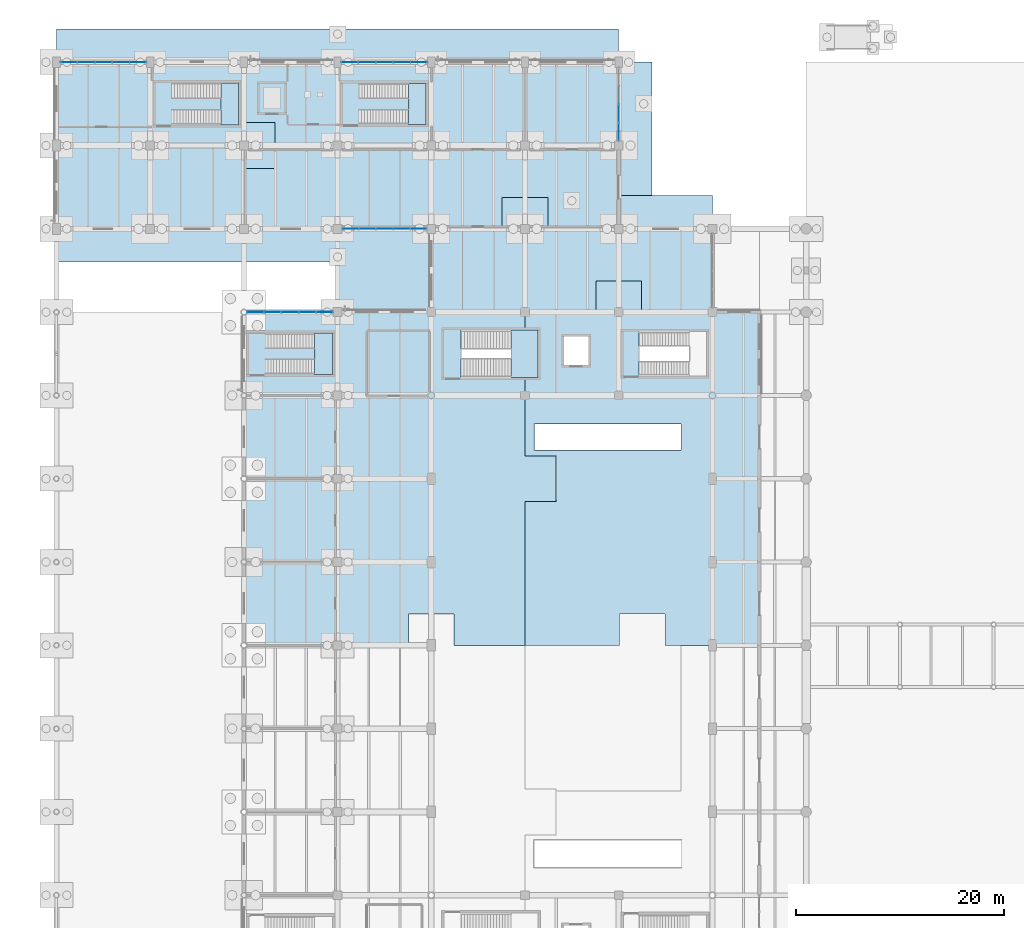
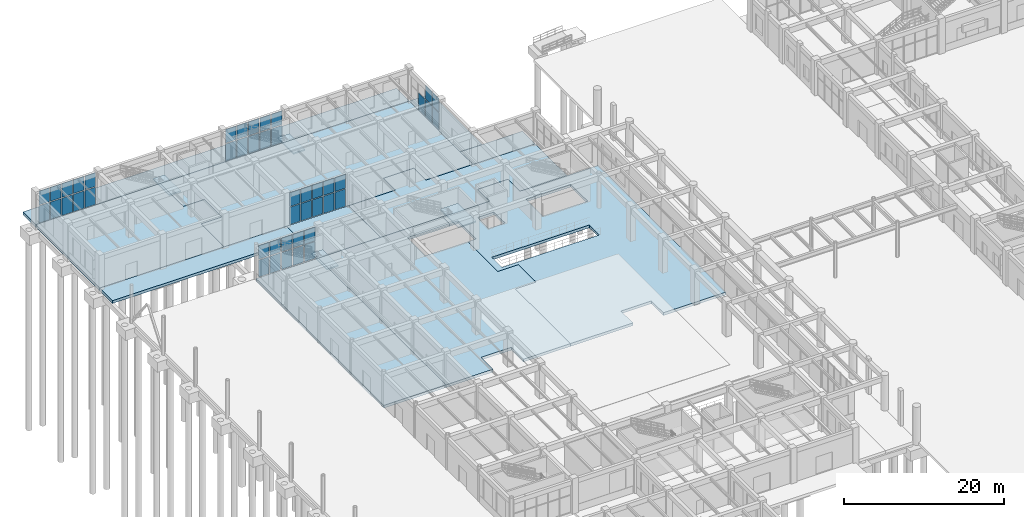
# One storey, part 84 of 121: 45 plates, 15 slabs, 9 elements without a shape of their own.
"""IFC4 building model written with IfcOpenShell, lengths in metres."""

from ifc_helpers import new_model, si_unit, derived_unit, direction, frame, origin, origin_2d, place, context, subcontext, project, spatial, polyline, rectangle, outline, extrude, material, layer, layer_set, type_object, element, aggregate, save


model = new_model("IFC4")

# Units and contexts
model_context = context("Model", 3, precision=1e-05, world=origin(), true_north=direction((0.0, 1.0)))
body_context = subcontext(model_context, "Body", "Model", "MODEL_VIEW")
ifc_project = project(units=[si_unit("LENGTHUNIT", "METRE"), si_unit("AREAUNIT", "SQUARE_METRE"), si_unit("VOLUMEUNIT", "CUBIC_METRE"), si_unit("PLANEANGLEUNIT", "RADIAN"), si_unit("MASSUNIT", "GRAM", prefix="KILO"), derived_unit("THERMALTRANSMITTANCEUNIT", [(si_unit("MASSUNIT", "GRAM", prefix="KILO"), 1), (si_unit("TIMEUNIT", "SECOND"), -3), (si_unit("THERMODYNAMICTEMPERATUREUNIT", "KELVIN"), -1)])], contexts=[model_context])

# Site, building, storey
site_placement = place(None, origin())
site = spatial("IfcSite", under=ifc_project, at=site_placement, CompositionType="ELEMENT")
building_placement = place(site_placement, origin())
building = spatial("IfcBuilding", under=site, at=building_placement, Name="Zhenchuan Archway Interchange", CompositionType="ELEMENT")
storey_placement = place(building_placement, origin())
storey = spatial("IfcBuildingStorey", under=building, at=storey_placement, Name="L00", CompositionType="ELEMENT", Elevation=0.0)

# Curtain wall, plates
ifc_material_1 = material(Name="Anodised Aluminium", Category="aluminium")
curtain_wall_type_1 = type_object("IfcCurtainWallType", Name="CW_UNIT_3", PredefinedType="NOTDEFINED", material=ifc_material_1)
curtain_wall_1_placement = place(storey_placement, origin())
curtain_wall_1 = element("IfcCurtainWall", 1, at=curtain_wall_1_placement, inside=storey, type_object=curtain_wall_type_1, Name="Unitised curtain wall CW:L00:002", PredefinedType="NOTDEFINED")
ifc_material_2 = material(Name="Double Low-E Insulated Glazing", Category="glass")
ifc_layer_1 = layer(ifc_material_2, 0.031982421875)
ifc_layer_set_1 = layer_set([ifc_layer_1], Name="Double Low-E Insulated Glazing")
plate_type_1 = type_object("IfcPlateType", Name="CW_GLZ_5", PredefinedType="CURTAIN_PANEL", material=ifc_layer_set_1)
plate_1_placement = place(storey_placement, frame((19.092529296875, 88.0, 0.080078125), z_axis=(0.0, 0.0, 1.0), x_axis=(1.0, 0.0, 0.0)))
plate_1 = element("IfcPlate", 2, at=plate_1_placement, type_object=plate_type_1, Name="CW:L00:002 lower glazing panel 0", PredefinedType="CURTAIN_PANEL", context=body_context, shape_type="SweptSolid", body=[
    extrude(rectangle(XDim=1.51220703125, YDim=0.028076171875, at=origin_2d()), origin(), (0.0, 0.0, 1.0), 2.610107421875),
])
plate_2_placement = place(storey_placement, frame((20.754638671875, 88.0, 0.080078125), z_axis=(0.0, 0.0, 1.0), x_axis=(1.0, 0.0, 0.0)))
plate_2 = element("IfcPlate", 3, at=plate_2_placement, type_object=plate_type_1, Name="CW:L00:002 lower glazing panel 1", PredefinedType="CURTAIN_PANEL", context=body_context, shape_type="SweptSolid", body=[
    extrude(rectangle(XDim=1.531982421875, YDim=0.028076171875, at=origin_2d()), origin(), (0.0, 0.0, 1.0), 2.610107421875),
])
plate_3_placement = place(storey_placement, frame((22.4267578125, 88.0, 0.080078125), z_axis=(0.0, 0.0, 1.0), x_axis=(1.0, 0.0, 0.0)))
plate_3 = element("IfcPlate", 4, at=plate_3_placement, type_object=plate_type_1, Name="CW:L00:002 lower glazing panel 2", PredefinedType="CURTAIN_PANEL", context=body_context, shape_type="SweptSolid", body=[
    extrude(rectangle(XDim=1.531982421875, YDim=0.028076171875, at=origin_2d()), origin(), (0.0, 0.0, 1.0), 2.610107421875),
])
plate_4_placement = place(storey_placement, frame((24.098876953125, 88.0, 0.080078125), z_axis=(0.0, 0.0, 1.0), x_axis=(1.0, 0.0, 0.0)))
plate_4 = element("IfcPlate", 5, at=plate_4_placement, type_object=plate_type_1, Name="CW:L00:002 lower glazing panel 3", PredefinedType="CURTAIN_PANEL", context=body_context, shape_type="SweptSolid", body=[
    extrude(rectangle(XDim=1.531982421875, YDim=0.028076171875, at=origin_2d()), origin(), (0.0, 0.0, 1.0), 2.610107421875),
])
plate_5_placement = place(storey_placement, frame((25.760986328125, 88.0, 0.080078125), z_axis=(0.0, 0.0, 1.0), x_axis=(1.0, 0.0, 0.0)))
plate_5 = element("IfcPlate", 6, at=plate_5_placement, type_object=plate_type_1, Name="CW:L00:002 lower glazing panel 4", PredefinedType="CURTAIN_PANEL", context=body_context, shape_type="SweptSolid", body=[
    extrude(rectangle(XDim=1.51220703125, YDim=0.028076171875, at=origin_2d()), origin(), (0.0, 0.0, 1.0), 2.610107421875),
])

curtain_wall_type_2 = type_object("IfcCurtainWallType", Name="CW_UNIT_4", PredefinedType="NOTDEFINED", material=ifc_material_1)
curtain_wall_2_placement = place(storey_placement, origin())
curtain_wall_2 = element("IfcCurtainWall", 7, at=curtain_wall_2_placement, inside=storey, type_object=curtain_wall_type_2, Name="Unitised curtain wall CW:L00:003", PredefinedType="NOTDEFINED")
plate_6_placement = place(storey_placement, frame((34.775634765625, 96.0, 0.080078125), z_axis=(0.0, 0.0, 1.0), x_axis=(-1.0, 0.0, 0.0)))
plate_6 = element("IfcPlate", 8, at=plate_6_placement, type_object=plate_type_1, Name="CW:L00:003 lower glazing panel 0", PredefinedType="CURTAIN_PANEL", context=body_context, shape_type="SweptSolid", body=[
    extrude(rectangle(XDim=1.48291015625, YDim=0.028076171875, at=origin_2d()), origin(), (0.0, 0.0, 1.0), 2.64306640625),
])
plate_7_placement = place(storey_placement, frame((33.142822265625, 96.0, 0.080078125), z_axis=(0.0, 0.0, 1.0), x_axis=(-1.0, 0.0, 0.0)))
plate_7 = element("IfcPlate", 9, at=plate_7_placement, type_object=plate_type_1, Name="CW:L00:003 lower glazing panel 1", PredefinedType="CURTAIN_PANEL", context=body_context, shape_type="SweptSolid", body=[
    extrude(rectangle(XDim=1.502685546875, YDim=0.028076171875, at=origin_2d()), origin(), (0.0, 0.0, 1.0), 2.64306640625),
])
plate_8_placement = place(storey_placement, frame((31.5, 96.0, 0.080078125), z_axis=(0.0, 0.0, 1.0), x_axis=(-1.0, 0.0, 0.0)))
plate_8 = element("IfcPlate", 10, at=plate_8_placement, type_object=plate_type_1, Name="CW:L00:003 lower glazing panel 2", PredefinedType="CURTAIN_PANEL", context=body_context, shape_type="SweptSolid", body=[
    extrude(rectangle(XDim=1.502685546875, YDim=0.028076171875, at=origin_2d()), origin(), (0.0, 0.0, 1.0), 2.64306640625),
])
plate_9_placement = place(storey_placement, frame((29.857177734375, 96.0, 0.080078125), z_axis=(0.0, 0.0, 1.0), x_axis=(-1.0, 0.0, 0.0)))
plate_9 = element("IfcPlate", 11, at=plate_9_placement, type_object=plate_type_1, Name="CW:L00:003 lower glazing panel 3", PredefinedType="CURTAIN_PANEL", context=body_context, shape_type="SweptSolid", body=[
    extrude(rectangle(XDim=1.502685546875, YDim=0.028076171875, at=origin_2d()), origin(), (0.0, 0.0, 1.0), 2.64306640625),
])
plate_10_placement = place(storey_placement, frame((28.224365234375, 96.0, 0.080078125), z_axis=(0.0, 0.0, 1.0), x_axis=(-1.0, 0.0, 0.0)))
plate_10 = element("IfcPlate", 12, at=plate_10_placement, type_object=plate_type_1, Name="CW:L00:003 lower glazing panel 4", PredefinedType="CURTAIN_PANEL", context=body_context, shape_type="SweptSolid", body=[
    extrude(rectangle(XDim=1.48291015625, YDim=0.028076171875, at=origin_2d()), origin(), (0.0, 0.0, 1.0), 2.64306640625),
])

curtain_wall_type_3 = type_object("IfcCurtainWallType", Name="CW_UNIT_1", PredefinedType="NOTDEFINED", material=ifc_material_1)
curtain_wall_3_placement = place(storey_placement, origin())
curtain_wall_3 = element("IfcCurtainWall", 13, at=curtain_wall_3_placement, inside=storey, type_object=curtain_wall_type_3, Name="Unitised curtain wall CW:L00:004", PredefinedType="NOTDEFINED")
plate_11_placement = place(storey_placement, frame((1.18701171875, 112.0, 0.080078125), z_axis=(0.0, 0.0, 1.0), x_axis=(1.0, 0.0, 0.0)))
plate_11 = element("IfcPlate", 14, at=plate_11_placement, type_object=plate_type_1, Name="CW:L00:004 lower glazing panel 0", PredefinedType="CURTAIN_PANEL", context=body_context, shape_type="SweptSolid", body=[
    extrude(rectangle(XDim=1.5078125, YDim=0.028076171875, at=origin_2d()), origin(), (0.0, 0.0, 1.0), 2.64306640625),
])
plate_12_placement = place(storey_placement, frame((2.8447265625, 112.0, 0.080078125), z_axis=(0.0, 0.0, 1.0), x_axis=(1.0, 0.0, 0.0)))
plate_12 = element("IfcPlate", 15, at=plate_12_placement, type_object=plate_type_1, Name="CW:L00:004 lower glazing panel 1", PredefinedType="CURTAIN_PANEL", context=body_context, shape_type="SweptSolid", body=[
    extrude(rectangle(XDim=1.52783203125, YDim=0.028076171875, at=origin_2d()), origin(), (0.0, 0.0, 1.0), 2.64306640625),
])
plate_13_placement = place(storey_placement, frame((4.512451171875, 112.0, 0.080078125), z_axis=(0.0, 0.0, 1.0), x_axis=(1.0, 0.0, 0.0)))
plate_13 = element("IfcPlate", 16, at=plate_13_placement, type_object=plate_type_1, Name="CW:L00:004 lower glazing panel 2", PredefinedType="CURTAIN_PANEL", context=body_context, shape_type="SweptSolid", body=[
    extrude(rectangle(XDim=1.52783203125, YDim=0.028076171875, at=origin_2d()), origin(), (0.0, 0.0, 1.0), 2.64306640625),
])
plate_14_placement = place(storey_placement, frame((6.180419921875, 112.0, 0.080078125), z_axis=(0.0, 0.0, 1.0), x_axis=(1.0, 0.0, 0.0)))
plate_14 = element("IfcPlate", 17, at=plate_14_placement, type_object=plate_type_1, Name="CW:L00:004 lower glazing panel 3", PredefinedType="CURTAIN_PANEL", context=body_context, shape_type="SweptSolid", body=[
    extrude(rectangle(XDim=1.52783203125, YDim=0.028076171875, at=origin_2d()), origin(), (0.0, 0.0, 1.0), 2.64306640625),
])
plate_15_placement = place(storey_placement, frame((7.838134765625, 112.0, 0.080078125), z_axis=(0.0, 0.0, 1.0), x_axis=(1.0, 0.0, 0.0)))
plate_15 = element("IfcPlate", 18, at=plate_15_placement, type_object=plate_type_1, Name="CW:L00:004 lower glazing panel 4", PredefinedType="CURTAIN_PANEL", context=body_context, shape_type="SweptSolid", body=[
    extrude(rectangle(XDim=1.5078125, YDim=0.028076171875, at=origin_2d()), origin(), (0.0, 0.0, 1.0), 2.64306640625),
])

curtain_wall_type_4 = type_object("IfcCurtainWallType", Name="CW_UNIT_2", PredefinedType="NOTDEFINED", material=ifc_material_1)
curtain_wall_4_placement = place(storey_placement, origin())
curtain_wall_4 = element("IfcCurtainWall", 19, at=curtain_wall_4_placement, inside=storey, type_object=curtain_wall_type_4, Name="Unitised curtain wall CW:L00:005", PredefinedType="NOTDEFINED")
plate_16_placement = place(storey_placement, frame((28.164306640625, 112.0, 0.080078125), z_axis=(0.0, 0.0, 1.0), x_axis=(1.0, 0.0, 0.0)))
plate_16 = element("IfcPlate", 20, at=plate_16_placement, type_object=plate_type_1, Name="CW:L00:005 lower glazing panel 0", PredefinedType="CURTAIN_PANEL", context=body_context, shape_type="SweptSolid", body=[
    extrude(rectangle(XDim=1.5126953125, YDim=0.028076171875, at=origin_2d()), origin(), (0.0, 0.0, 1.0), 2.64306640625),
])
plate_17_placement = place(storey_placement, frame((29.8271484375, 112.0, 0.080078125), z_axis=(0.0, 0.0, 1.0), x_axis=(1.0, 0.0, 0.0)))
plate_17 = element("IfcPlate", 21, at=plate_17_placement, type_object=plate_type_1, Name="CW:L00:005 lower glazing panel 1", PredefinedType="CURTAIN_PANEL", context=body_context, shape_type="SweptSolid", body=[
    extrude(rectangle(XDim=1.53271484375, YDim=0.028076171875, at=origin_2d()), origin(), (0.0, 0.0, 1.0), 2.64306640625),
])
plate_18_placement = place(storey_placement, frame((31.5, 112.0, 0.080078125), z_axis=(0.0, 0.0, 1.0), x_axis=(1.0, 0.0, 0.0)))
plate_18 = element("IfcPlate", 22, at=plate_18_placement, type_object=plate_type_1, Name="CW:L00:005 lower glazing panel 2", PredefinedType="CURTAIN_PANEL", context=body_context, shape_type="SweptSolid", body=[
    extrude(rectangle(XDim=1.53271484375, YDim=0.028076171875, at=origin_2d()), origin(), (0.0, 0.0, 1.0), 2.64306640625),
])
plate_19_placement = place(storey_placement, frame((33.1728515625, 112.0, 0.080078125), z_axis=(0.0, 0.0, 1.0), x_axis=(1.0, 0.0, 0.0)))
plate_19 = element("IfcPlate", 23, at=plate_19_placement, type_object=plate_type_1, Name="CW:L00:005 lower glazing panel 3", PredefinedType="CURTAIN_PANEL", context=body_context, shape_type="SweptSolid", body=[
    extrude(rectangle(XDim=1.53271484375, YDim=0.028076171875, at=origin_2d()), origin(), (0.0, 0.0, 1.0), 2.64306640625),
])
plate_20_placement = place(storey_placement, frame((34.835693359375, 112.0, 0.080078125), z_axis=(0.0, 0.0, 1.0), x_axis=(1.0, 0.0, 0.0)))
plate_20 = element("IfcPlate", 24, at=plate_20_placement, type_object=plate_type_1, Name="CW:L00:005 lower glazing panel 4", PredefinedType="CURTAIN_PANEL", context=body_context, shape_type="SweptSolid", body=[
    extrude(rectangle(XDim=1.5126953125, YDim=0.028076171875, at=origin_2d()), origin(), (0.0, 0.0, 1.0), 2.64306640625),
])

curtain_wall_5_placement = place(storey_placement, origin())
curtain_wall_5 = element("IfcCurtainWall", 25, at=curtain_wall_5_placement, inside=storey, type_object=curtain_wall_type_1, Name="Unitised curtain wall CW:L00:006", PredefinedType="NOTDEFINED")
plate_21_placement = place(storey_placement, frame((54.0, 108.85498046875, 0.080078125), z_axis=(0.0, 0.0, 1.0), x_axis=(0.0, -1.0, 0.0)))
plate_21 = element("IfcPlate", 26, at=plate_21_placement, type_object=plate_type_1, Name="CW:L00:006 lower glazing panel 1", PredefinedType="CURTAIN_PANEL", context=body_context, shape_type="SweptSolid", body=[
    extrude(rectangle(XDim=1.644775390625, YDim=0.028076171875, at=origin_2d()), origin(), (0.0, 0.0, 1.0), 2.64306640625),
])
plate_22_placement = place(storey_placement, frame((54.0, 107.070068359375, 0.080078125), z_axis=(0.0, 0.0, 1.0), x_axis=(0.0, -1.0, 0.0)))
plate_22 = element("IfcPlate", 27, at=plate_22_placement, type_object=plate_type_1, Name="CW:L00:006 lower glazing panel 2", PredefinedType="CURTAIN_PANEL", context=body_context, shape_type="SweptSolid", body=[
    extrude(rectangle(XDim=1.644775390625, YDim=0.028076171875, at=origin_2d()), origin(), (0.0, 0.0, 1.0), 2.64306640625),
])
plate_23_placement = place(storey_placement, frame((54.0, 105.29541015625, 0.080078125), z_axis=(0.0, 0.0, 1.0), x_axis=(0.0, -1.0, 0.0)))
plate_23 = element("IfcPlate", 28, at=plate_23_placement, type_object=plate_type_1, Name="CW:L00:006 lower glazing panel 3", PredefinedType="CURTAIN_PANEL", context=body_context, shape_type="SweptSolid", body=[
    extrude(rectangle(XDim=1.624755859375, YDim=0.028076171875, at=origin_2d()), origin(), (0.0, 0.0, 1.0), 2.64306640625),
])

# Plate
ifc_layer_2 = layer(ifc_material_2, 0.02197265625)
ifc_layer_set_2 = layer_set([ifc_layer_2], Name="Double Low-E Insulated Glazing")
plate_type_2 = type_object("IfcPlateType", Name="CW_GLZ_6", PredefinedType="CURTAIN_PANEL", material=ifc_layer_set_2)
plate_24_placement = place(storey_placement, frame((19.092529296875, 88.0, 2.81005859375), z_axis=(0.0, 0.0, 1.0), x_axis=(1.0, 0.0, 0.0)))
plate_24 = element("IfcPlate", 29, at=plate_24_placement, type_object=plate_type_2, Name="CW:L00:002 upper glazing panel 0", PredefinedType="CURTAIN_PANEL", context=body_context, shape_type="SweptSolid", body=[
    extrude(rectangle(XDim=1.51220703125, YDim=0.02587890625, at=origin_2d()), origin(), (0.0, 0.0, 1.0), 2.110107421875),
])

plate_25_placement = place(storey_placement, frame((20.754638671875, 88.0, 2.81005859375), z_axis=(0.0, 0.0, 1.0), x_axis=(1.0, 0.0, 0.0)))
plate_25 = element("IfcPlate", 30, at=plate_25_placement, type_object=plate_type_2, Name="CW:L00:002 upper glazing panel 1", PredefinedType="CURTAIN_PANEL", context=body_context, shape_type="SweptSolid", body=[
    extrude(rectangle(XDim=1.531982421875, YDim=0.02587890625, at=origin_2d()), origin(), (0.0, 0.0, 1.0), 2.110107421875),
])

plate_26_placement = place(storey_placement, frame((22.4267578125, 88.0, 2.81005859375), z_axis=(0.0, 0.0, 1.0), x_axis=(1.0, 0.0, 0.0)))
plate_26 = element("IfcPlate", 31, at=plate_26_placement, type_object=plate_type_2, Name="CW:L00:002 upper glazing panel 2", PredefinedType="CURTAIN_PANEL", context=body_context, shape_type="SweptSolid", body=[
    extrude(rectangle(XDim=1.531982421875, YDim=0.02587890625, at=origin_2d()), origin(), (0.0, 0.0, 1.0), 2.110107421875),
])

plate_27_placement = place(storey_placement, frame((24.098876953125, 88.0, 2.81005859375), z_axis=(0.0, 0.0, 1.0), x_axis=(1.0, 0.0, 0.0)))
plate_27 = element("IfcPlate", 32, at=plate_27_placement, type_object=plate_type_2, Name="CW:L00:002 upper glazing panel 3", PredefinedType="CURTAIN_PANEL", context=body_context, shape_type="SweptSolid", body=[
    extrude(rectangle(XDim=1.531982421875, YDim=0.02587890625, at=origin_2d()), origin(), (0.0, 0.0, 1.0), 2.110107421875),
])

plate_28_placement = place(storey_placement, frame((25.760986328125, 88.0, 2.81005859375), z_axis=(0.0, 0.0, 1.0), x_axis=(1.0, 0.0, 0.0)))
plate_28 = element("IfcPlate", 33, at=plate_28_placement, type_object=plate_type_2, Name="CW:L00:002 upper glazing panel 4", PredefinedType="CURTAIN_PANEL", context=body_context, shape_type="SweptSolid", body=[
    extrude(rectangle(XDim=1.51220703125, YDim=0.02587890625, at=origin_2d()), origin(), (0.0, 0.0, 1.0), 2.110107421875),
])

aggregate(curtain_wall_1, [plate_1, plate_24, plate_2, plate_25, plate_3, plate_26, plate_4, plate_27, plate_5, plate_28])

plate_29_placement = place(storey_placement, frame((34.775634765625, 96.0, 2.84326171875), z_axis=(0.0, 0.0, 1.0), x_axis=(-1.0, 0.0, 0.0)))
plate_29 = element("IfcPlate", 34, at=plate_29_placement, type_object=plate_type_2, Name="CW:L00:003 upper glazing panel 0", PredefinedType="CURTAIN_PANEL", context=body_context, shape_type="SweptSolid", body=[
    extrude(rectangle(XDim=1.48291015625, YDim=0.02587890625, at=origin_2d()), origin(), (0.0, 0.0, 1.0), 2.136962890625),
])

plate_30_placement = place(storey_placement, frame((33.142822265625, 96.0, 2.84326171875), z_axis=(0.0, 0.0, 1.0), x_axis=(-1.0, 0.0, 0.0)))
plate_30 = element("IfcPlate", 35, at=plate_30_placement, type_object=plate_type_2, Name="CW:L00:003 upper glazing panel 1", PredefinedType="CURTAIN_PANEL", context=body_context, shape_type="SweptSolid", body=[
    extrude(rectangle(XDim=1.502685546875, YDim=0.02587890625, at=origin_2d()), origin(), (0.0, 0.0, 1.0), 2.136962890625),
])

plate_31_placement = place(storey_placement, frame((31.5, 96.0, 2.84326171875), z_axis=(0.0, 0.0, 1.0), x_axis=(-1.0, 0.0, 0.0)))
plate_31 = element("IfcPlate", 36, at=plate_31_placement, type_object=plate_type_2, Name="CW:L00:003 upper glazing panel 2", PredefinedType="CURTAIN_PANEL", context=body_context, shape_type="SweptSolid", body=[
    extrude(rectangle(XDim=1.502685546875, YDim=0.02587890625, at=origin_2d()), origin(), (0.0, 0.0, 1.0), 2.136962890625),
])

plate_32_placement = place(storey_placement, frame((29.857177734375, 96.0, 2.84326171875), z_axis=(0.0, 0.0, 1.0), x_axis=(-1.0, 0.0, 0.0)))
plate_32 = element("IfcPlate", 37, at=plate_32_placement, type_object=plate_type_2, Name="CW:L00:003 upper glazing panel 3", PredefinedType="CURTAIN_PANEL", context=body_context, shape_type="SweptSolid", body=[
    extrude(rectangle(XDim=1.502685546875, YDim=0.02587890625, at=origin_2d()), origin(), (0.0, 0.0, 1.0), 2.136962890625),
])

plate_33_placement = place(storey_placement, frame((28.224365234375, 96.0, 2.84326171875), z_axis=(0.0, 0.0, 1.0), x_axis=(-1.0, 0.0, 0.0)))
plate_33 = element("IfcPlate", 38, at=plate_33_placement, type_object=plate_type_2, Name="CW:L00:003 upper glazing panel 4", PredefinedType="CURTAIN_PANEL", context=body_context, shape_type="SweptSolid", body=[
    extrude(rectangle(XDim=1.48291015625, YDim=0.02587890625, at=origin_2d()), origin(), (0.0, 0.0, 1.0), 2.136962890625),
])

aggregate(curtain_wall_2, [plate_6, plate_29, plate_7, plate_30, plate_8, plate_31, plate_9, plate_32, plate_10, plate_33])

plate_34_placement = place(storey_placement, frame((1.18701171875, 112.0, 2.84326171875), z_axis=(0.0, 0.0, 1.0), x_axis=(1.0, 0.0, 0.0)))
plate_34 = element("IfcPlate", 39, at=plate_34_placement, type_object=plate_type_2, Name="CW:L00:004 upper glazing panel 0", PredefinedType="CURTAIN_PANEL", context=body_context, shape_type="SweptSolid", body=[
    extrude(rectangle(XDim=1.5078125, YDim=0.02587890625, at=origin_2d()), origin(), (0.0, 0.0, 1.0), 2.136962890625),
])

plate_35_placement = place(storey_placement, frame((2.8447265625, 112.0, 2.84326171875), z_axis=(0.0, 0.0, 1.0), x_axis=(1.0, 0.0, 0.0)))
plate_35 = element("IfcPlate", 40, at=plate_35_placement, type_object=plate_type_2, Name="CW:L00:004 upper glazing panel 1", PredefinedType="CURTAIN_PANEL", context=body_context, shape_type="SweptSolid", body=[
    extrude(rectangle(XDim=1.52783203125, YDim=0.02587890625, at=origin_2d()), origin(), (0.0, 0.0, 1.0), 2.136962890625),
])

plate_36_placement = place(storey_placement, frame((4.512451171875, 112.0, 2.84326171875), z_axis=(0.0, 0.0, 1.0), x_axis=(1.0, 0.0, 0.0)))
plate_36 = element("IfcPlate", 41, at=plate_36_placement, type_object=plate_type_2, Name="CW:L00:004 upper glazing panel 2", PredefinedType="CURTAIN_PANEL", context=body_context, shape_type="SweptSolid", body=[
    extrude(rectangle(XDim=1.52783203125, YDim=0.02587890625, at=origin_2d()), origin(), (0.0, 0.0, 1.0), 2.136962890625),
])

plate_37_placement = place(storey_placement, frame((6.180419921875, 112.0, 2.84326171875), z_axis=(0.0, 0.0, 1.0), x_axis=(1.0, 0.0, 0.0)))
plate_37 = element("IfcPlate", 42, at=plate_37_placement, type_object=plate_type_2, Name="CW:L00:004 upper glazing panel 3", PredefinedType="CURTAIN_PANEL", context=body_context, shape_type="SweptSolid", body=[
    extrude(rectangle(XDim=1.52783203125, YDim=0.02587890625, at=origin_2d()), origin(), (0.0, 0.0, 1.0), 2.136962890625),
])

plate_38_placement = place(storey_placement, frame((7.838134765625, 112.0, 2.84326171875), z_axis=(0.0, 0.0, 1.0), x_axis=(1.0, 0.0, 0.0)))
plate_38 = element("IfcPlate", 43, at=plate_38_placement, type_object=plate_type_2, Name="CW:L00:004 upper glazing panel 4", PredefinedType="CURTAIN_PANEL", context=body_context, shape_type="SweptSolid", body=[
    extrude(rectangle(XDim=1.5078125, YDim=0.02587890625, at=origin_2d()), origin(), (0.0, 0.0, 1.0), 2.136962890625),
])

aggregate(curtain_wall_3, [plate_11, plate_34, plate_12, plate_35, plate_13, plate_36, plate_14, plate_37, plate_15, plate_38])

plate_39_placement = place(storey_placement, frame((28.164306640625, 112.0, 2.84326171875), z_axis=(0.0, 0.0, 1.0), x_axis=(1.0, 0.0, 0.0)))
plate_39 = element("IfcPlate", 44, at=plate_39_placement, type_object=plate_type_2, Name="CW:L00:005 upper glazing panel 0", PredefinedType="CURTAIN_PANEL", context=body_context, shape_type="SweptSolid", body=[
    extrude(rectangle(XDim=1.5126953125, YDim=0.02587890625, at=origin_2d()), origin(), (0.0, 0.0, 1.0), 2.136962890625),
])

plate_40_placement = place(storey_placement, frame((29.8271484375, 112.0, 2.84326171875), z_axis=(0.0, 0.0, 1.0), x_axis=(1.0, 0.0, 0.0)))
plate_40 = element("IfcPlate", 45, at=plate_40_placement, type_object=plate_type_2, Name="CW:L00:005 upper glazing panel 1", PredefinedType="CURTAIN_PANEL", context=body_context, shape_type="SweptSolid", body=[
    extrude(rectangle(XDim=1.53271484375, YDim=0.02587890625, at=origin_2d()), origin(), (0.0, 0.0, 1.0), 2.136962890625),
])

plate_41_placement = place(storey_placement, frame((31.5, 112.0, 2.84326171875), z_axis=(0.0, 0.0, 1.0), x_axis=(1.0, 0.0, 0.0)))
plate_41 = element("IfcPlate", 46, at=plate_41_placement, type_object=plate_type_2, Name="CW:L00:005 upper glazing panel 2", PredefinedType="CURTAIN_PANEL", context=body_context, shape_type="SweptSolid", body=[
    extrude(rectangle(XDim=1.53271484375, YDim=0.02587890625, at=origin_2d()), origin(), (0.0, 0.0, 1.0), 2.136962890625),
])

plate_42_placement = place(storey_placement, frame((33.1728515625, 112.0, 2.84326171875), z_axis=(0.0, 0.0, 1.0), x_axis=(1.0, 0.0, 0.0)))
plate_42 = element("IfcPlate", 47, at=plate_42_placement, type_object=plate_type_2, Name="CW:L00:005 upper glazing panel 3", PredefinedType="CURTAIN_PANEL", context=body_context, shape_type="SweptSolid", body=[
    extrude(rectangle(XDim=1.53271484375, YDim=0.02587890625, at=origin_2d()), origin(), (0.0, 0.0, 1.0), 2.136962890625),
])

plate_43_placement = place(storey_placement, frame((34.835693359375, 112.0, 2.84326171875), z_axis=(0.0, 0.0, 1.0), x_axis=(1.0, 0.0, 0.0)))
plate_43 = element("IfcPlate", 48, at=plate_43_placement, type_object=plate_type_2, Name="CW:L00:005 upper glazing panel 4", PredefinedType="CURTAIN_PANEL", context=body_context, shape_type="SweptSolid", body=[
    extrude(rectangle(XDim=1.5126953125, YDim=0.02587890625, at=origin_2d()), origin(), (0.0, 0.0, 1.0), 2.136962890625),
])

aggregate(curtain_wall_4, [plate_16, plate_39, plate_17, plate_40, plate_18, plate_41, plate_19, plate_42, plate_20, plate_43])

plate_44_placement = place(storey_placement, frame((54.0, 107.070068359375, 2.84326171875), z_axis=(0.0, 0.0, 1.0), x_axis=(0.0, -1.0, 0.0)))
plate_44 = element("IfcPlate", 49, at=plate_44_placement, type_object=plate_type_2, Name="CW:L00:006 upper glazing panel 2", PredefinedType="CURTAIN_PANEL", context=body_context, shape_type="SweptSolid", body=[
    extrude(rectangle(XDim=1.644775390625, YDim=0.02587890625, at=origin_2d()), origin(), (0.0, 0.0, 1.0), 2.136962890625),
])

plate_45_placement = place(storey_placement, frame((54.0, 105.29541015625, 2.84326171875), z_axis=(0.0, 0.0, 1.0), x_axis=(0.0, -1.0, 0.0)))
plate_45 = element("IfcPlate", 50, at=plate_45_placement, type_object=plate_type_2, Name="CW:L00:006 upper glazing panel 3", PredefinedType="CURTAIN_PANEL", context=body_context, shape_type="SweptSolid", body=[
    extrude(rectangle(XDim=1.624755859375, YDim=0.02587890625, at=origin_2d()), origin(), (0.0, 0.0, 1.0), 2.136962890625),
])

aggregate(curtain_wall_5, [plate_21, plate_22, plate_44, plate_23, plate_45])

# Slabs
ifc_material_3 = material(Name="Concrete C40", Category="concrete")
ifc_layer_3 = layer(ifc_material_3, 0.419921875)
ifc_layer_set_3 = layer_set([ifc_layer_3], Name="Concrete C40")
slab_type_1 = type_object("IfcSlabType", Name="SLB_FLR_420", PredefinedType="FLOOR", material=ifc_layer_set_3)
slab_1_placement = place(storey_placement, frame((0.0, 0.0, -0.419921875)))
element("IfcSlab", 51, at=slab_1_placement, inside=storey, type_object=slab_type_1, Name="Structural slab L00 CH-NW", PredefinedType="FLOOR", context=body_context, shape_type="SweptSolid", body=[
    extrude(outline(polyline([(45.0, 88.0), (45.0, 86.27490234375), (38.875, 86.27490234375), (38.875, 81.72509765625), (45.0, 81.72509765625), (45.0, 74.197998046875), (47.998046875, 74.197998046875), (47.998046875, 69.802001953125), (45.0, 69.802001953125), (45.0, 56.0), (38.199951171875, 56.0), (38.199951171875, 59.0), (33.800048828125, 59.0), (33.800048828125, 56.0), (27.0, 56.0), (27.0, 88.0), (45.0, 88.0)])), origin(), (0.0, 0.0, 1.0), 0.419921875),
])
slab_2_placement = place(storey_placement, frame((0.0, 0.0, -0.419921875)))
element("IfcSlab", 52, at=slab_2_placement, inside=storey, type_object=slab_type_1, Name="Structural slab L00 CH-NE", PredefinedType="FLOOR", context=body_context, shape_type="SweptSolid", body=[
    extrude(outline(polyline([(54.050048828125, 56.0), (45.0, 56.0), (45.0, 69.800048828125), (48.0, 69.800048828125), (48.0, 74.199951171875), (45.0, 74.199951171875), (45.0, 81.72509765625), (46.22509765625, 81.72509765625), (46.22509765625, 86.27490234375), (45.0, 86.27490234375), (45.0, 88.0), (51.802001953125, 88.0), (51.802001953125, 90.998046875), (56.197998046875, 90.998046875), (56.197998046875, 88.0), (67.5, 88.0), (67.5, 56.0), (58.449951171875, 56.0), (58.449951171875, 59.0), (54.050048828125, 59.0), (54.050048828125, 56.0)]), holes=[polyline([(55.965087890625, 86.125), (55.965087890625, 81.875), (62.43505859375, 81.875), (62.43505859375, 86.125), (55.965087890625, 86.125)]), polyline([(60.0, 77.25), (45.89990234375, 77.25), (45.89990234375, 74.75), (60.0, 74.75), (60.0, 77.25)]), polyline([(51.080078125, 82.919921875), (51.080078125, 85.679931640625), (48.719970703125, 85.679931640625), (48.719970703125, 82.919921875), (51.080078125, 82.919921875)])]), origin(), (0.0, 0.0, 1.0), 0.419921875),
])
slab_3_placement = place(storey_placement, frame((0.0, 0.0, -0.419921875)))
element("IfcSlab", 53, at=slab_3_placement, inside=storey, type_object=slab_type_1, Name="Structural slab L00 CH-ENT-N", PredefinedType="FLOOR", context=body_context, shape_type="SweptSolid", body=[
    extrude(outline(polyline([(36.0, 96.0), (42.802001953125, 96.0), (42.802001953125, 98.998046875), (47.197998046875, 98.998046875), (47.197998046875, 96.0), (63.0, 96.0), (63.0, 88.0), (56.199951171875, 88.0), (56.199951171875, 91.0), (51.800048828125, 91.0), (51.800048828125, 88.0), (36.0, 88.0), (36.0, 96.0)])), origin(), (0.0, 0.0, 1.0), 0.419921875),
])
slab_4_placement = place(storey_placement, frame((0.0, 0.0, -0.419921875)))
element("IfcSlab", 54, at=slab_4_placement, inside=storey, type_object=slab_type_1, Name="Structural slab L00 BUS-N", PredefinedType="FLOOR", context=body_context, shape_type="SweptSolid", body=[
    extrude(outline(polyline([(27.0, 56.0), (27.0, 88.0), (18.0, 88.0), (18.0, 56.0), (27.0, 56.0)])), origin(), (0.0, 0.0, 1.0), 0.419921875),
])
slab_5_placement = place(storey_placement, frame((0.0, 0.0, -0.419921875)))
element("IfcSlab", 55, at=slab_5_placement, inside=storey, type_object=slab_type_1, Name="Structural slab L00 TRM-W", PredefinedType="FLOOR", context=body_context, shape_type="SweptSolid", body=[
    extrude(outline(polyline([(18.0, 96.0), (0.0, 96.0), (0.0, 112.0), (18.0, 112.0), (18.0, 106.197998046875), (20.998046875, 106.197998046875), (20.998046875, 101.802001953125), (18.0, 101.802001953125), (18.0, 96.0)])), origin(), (0.0, 0.0, 1.0), 0.419921875),
])
slab_6_placement = place(storey_placement, frame((0.0, 0.0, -0.419921875)))
element("IfcSlab", 56, at=slab_6_placement, inside=storey, type_object=slab_type_1, Name="Structural slab L00 TRM-E", PredefinedType="FLOOR", context=body_context, shape_type="SweptSolid", body=[
    extrude(outline(polyline([(18.0, 101.800048828125), (21.0, 101.800048828125), (21.0, 106.199951171875), (18.0, 106.199951171875), (18.0, 112.0), (54.0, 112.0), (54.0, 96.0), (47.199951171875, 96.0), (47.199951171875, 99.0), (42.800048828125, 99.0), (42.800048828125, 96.0), (18.0, 96.0), (18.0, 101.800048828125)])), origin(), (0.0, 0.0, 1.0), 0.419921875),
])
slab_7_placement = place(storey_placement, frame((0.0, 0.0, -0.419921875)))
element("IfcSlab", 57, at=slab_7_placement, inside=storey, type_object=slab_type_1, Name="Exterior structural deck slab ARC-PORCH-NW", PredefinedType="FLOOR", context=body_context, shape_type="SweptSolid", body=[
    extrude(outline(polyline([(27.0, 95.9970703125), (35.9970703125, 95.9970703125), (35.9970703125, 88.0029296875), (27.0, 88.0029296875), (27.0, 95.9970703125)])), origin(), (0.0, 0.0, 1.0), 0.419921875),
])
slab_8_placement = place(storey_placement, frame((0.0, 0.0, -0.419921875)))
element("IfcSlab", 58, at=slab_8_placement, inside=storey, type_object=slab_type_1, Name="Exterior structural deck slab WLK-ENT-N", PredefinedType="FLOOR", context=body_context, shape_type="SweptSolid", body=[
    extrude(outline(polyline([(63.0, 99.199951171875), (63.0, 96.0048828125), (54.0029296875, 96.0048828125), (54.0029296875, 99.199951171875), (63.0, 99.199951171875)])), origin(), (0.0, 0.0, 1.0), 0.419921875),
])
slab_9_placement = place(storey_placement, frame((0.0, 0.0, -0.419921875)))
element("IfcSlab", 59, at=slab_9_placement, inside=storey, type_object=slab_type_1, Name="Exterior structural deck slab WLK-TRM-S", PredefinedType="FLOOR", context=body_context, shape_type="SweptSolid", body=[
    extrude(outline(polyline([(0.0, 92.800048828125), (0.0, 95.9951171875), (26.998046875, 95.9951171875), (26.998046875, 92.800048828125), (0.0, 92.800048828125)])), origin(), (0.0, 0.0, 1.0), 0.419921875),
])
slab_10_placement = place(storey_placement, frame((0.0, 0.0, -0.419921875)))
element("IfcSlab", 60, at=slab_10_placement, inside=storey, type_object=slab_type_1, Name="Exterior structural deck slab WLK-TRM-E", PredefinedType="FLOOR", context=body_context, shape_type="SweptSolid", body=[
    extrude(outline(polyline([(54.0048828125, 112.0), (57.199951171875, 112.0), (57.199951171875, 99.201904296875), (54.0048828125, 99.201904296875), (54.0048828125, 112.0)])), origin(), (0.0, 0.0, 1.0), 0.419921875),
])
slab_11_placement = place(storey_placement, frame((0.0, 0.0, -0.419921875)))
element("IfcSlab", 61, at=slab_11_placement, inside=storey, type_object=slab_type_1, Name="Exterior structural deck slab WLK-TRM-N", PredefinedType="FLOOR", context=body_context, shape_type="SweptSolid", body=[
    extrude(outline(polyline([(0.0, 112.0048828125), (0.0, 115.199951171875), (54.0, 115.199951171875), (54.0, 112.0048828125), (0.0, 112.0048828125)])), origin(), (0.0, 0.0, 1.0), 0.419921875),
])

# Stair, slab
ifc_material_4 = material(Name="Concrete C35", Category="concrete")
stair_type_1 = type_object("IfcStairType", Name="STR_HALF_1800", PredefinedType="HALF_TURN_STAIR", material=ifc_material_4)
stair_1_placement = place(storey_placement, origin())
stair_1 = element("IfcStair", 62, at=stair_1_placement, inside=storey, type_object=stair_type_1, Name="Stair ST-M2 (L00)", PredefinedType="HALF_TURN_STAIR")
ifc_layer_4 = layer(ifc_material_4, 0.199951171875)
ifc_layer_set_4 = layer_set([ifc_layer_4], Name="Concrete C35")
slab_type_2 = type_object("IfcSlabType", Name="SLB_LANDING_200", PredefinedType="LANDING", material=ifc_layer_set_4)
slab_12_placement = place(storey_placement, frame((0.0, 0.0, 2.5)))
slab_12 = element("IfcSlab", 63, at=slab_12_placement, type_object=slab_type_2, Name="Stair ST-M2 half-landing (L00)", PredefinedType="LANDING", context=body_context, shape_type="SweptSolid", body=[
    extrude(outline(polyline([(43.655029296875, 81.722900390625), (46.22705078125, 81.722900390625), (46.22705078125, 86.277099609375), (43.655029296875, 86.277099609375), (43.655029296875, 81.722900390625)])), origin(), (0.0, 0.0, 1.0), 0.199951171875),
])
aggregate(stair_1, [slab_12])

stair_type_2 = type_object("IfcStairType", Name="STR_HALF_1450", PredefinedType="HALF_TURN_STAIR", material=ifc_material_4)
stair_2_placement = place(storey_placement, origin())
stair_2 = element("IfcStair", 64, at=stair_2_placement, inside=storey, type_object=stair_type_2, Name="Stair ST-B2 (L00)", PredefinedType="HALF_TURN_STAIR")
slab_13_placement = place(storey_placement, frame((0.0, 0.0, 2.5)))
slab_13 = element("IfcSlab", 65, at=slab_13_placement, type_object=slab_type_2, Name="Stair ST-B2 half-landing (L00)", PredefinedType="LANDING", context=body_context, shape_type="SweptSolid", body=[
    extrude(outline(polyline([(24.804931640625, 82.02294921875), (26.4970703125, 82.02294921875), (26.4970703125, 85.97705078125), (24.804931640625, 85.97705078125), (24.804931640625, 82.02294921875)])), origin(), (0.0, 0.0, 1.0), 0.199951171875),
])
aggregate(stair_2, [slab_13])

stair_type_3 = type_object("IfcStairType", Name="STR_HALF_1500", PredefinedType="HALF_TURN_STAIR", material=ifc_material_4)
stair_3_placement = place(storey_placement, origin())
stair_3 = element("IfcStair", 66, at=stair_3_placement, inside=storey, type_object=stair_type_3, Name="Stair ST-W1 (L00)", PredefinedType="HALF_TURN_STAIR")
slab_14_placement = place(storey_placement, frame((0.0, 0.0, 2.5)))
slab_14 = element("IfcSlab", 67, at=slab_14_placement, type_object=slab_type_2, Name="Stair ST-W1 half-landing (L00)", PredefinedType="LANDING", context=body_context, shape_type="SweptSolid", body=[
    extrude(outline(polyline([(15.804931640625, 105.972900390625), (17.4970703125, 105.972900390625), (17.4970703125, 110.027099609375), (15.804931640625, 110.027099609375), (15.804931640625, 105.972900390625)])), origin(), (0.0, 0.0, 1.0), 0.199951171875),
])
aggregate(stair_3, [slab_14])

stair_4_placement = place(storey_placement, origin())
stair_4 = element("IfcStair", 68, at=stair_4_placement, inside=storey, type_object=stair_type_2, Name="Stair ST-W2 (L00)", PredefinedType="HALF_TURN_STAIR")
slab_15_placement = place(storey_placement, frame((0.0, 0.0, 2.5)))
slab_15 = element("IfcSlab", 69, at=slab_15_placement, type_object=slab_type_2, Name="Stair ST-W2 half-landing (L00)", PredefinedType="LANDING", context=body_context, shape_type="SweptSolid", body=[
    extrude(outline(polyline([(33.804931640625, 106.02294921875), (35.4970703125, 106.02294921875), (35.4970703125, 109.97705078125), (33.804931640625, 109.97705078125), (33.804931640625, 106.02294921875)])), origin(), (0.0, 0.0, 1.0), 0.199951171875),
])
aggregate(stair_4, [slab_15])

save(model, "model.ifc")
